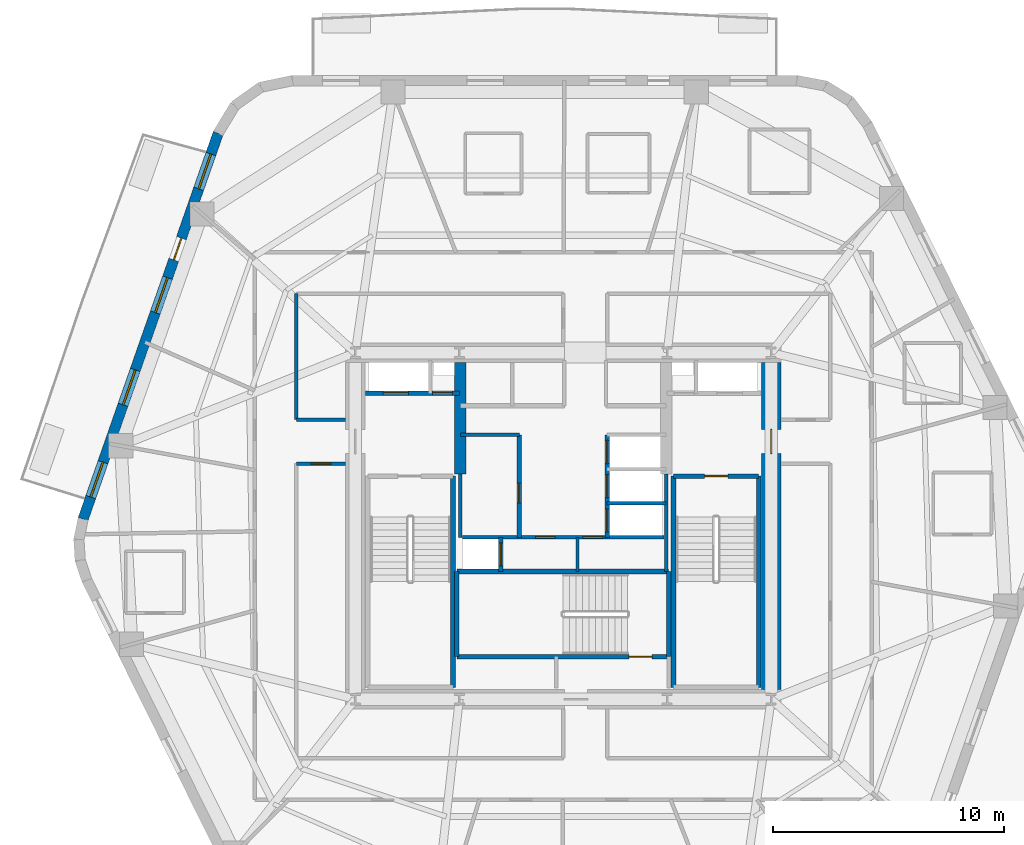
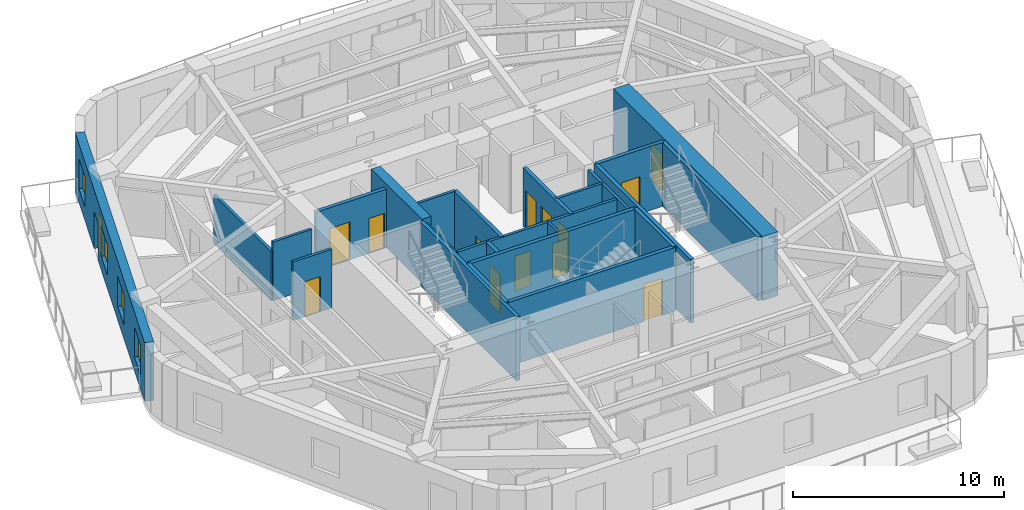
# One storey, part 4 of 11: 24 walls, 14 doors, 4 windows, 18 openings.
"""IFC4 building model written with IfcOpenShell, lengths in metres."""

from ifc_helpers import new_model, si_unit, direction, frame, frame_2d, origin, place, context, subcontext, project, spatial, rectangle, extrude, material, layer, layer_set, type_object, element, fill, save


model = new_model("IFC4")

# Units and contexts
model_context = context("Model", 3, precision=1e-05, world=origin(), true_north=direction((0.0, 1.0)))
body_context = subcontext(model_context, "Body", "Model", "MODEL_VIEW")
ifc_project = project(units=[si_unit("LENGTHUNIT", "METRE"), si_unit("AREAUNIT", "SQUARE_METRE"), si_unit("VOLUMEUNIT", "CUBIC_METRE"), si_unit("PLANEANGLEUNIT", "RADIAN"), si_unit("MASSUNIT", "GRAM", prefix="KILO")], contexts=[model_context])

# Site, building, storey
site_placement = place(None, origin())
site = spatial("IfcSite", under=ifc_project, at=site_placement, CompositionType="ELEMENT")
building_placement = place(site_placement, origin())
building = spatial("IfcBuilding", under=site, at=building_placement, Name="Kilnhurst Terrace Hotel", CompositionType="ELEMENT")
storey_placement = place(building_placement, frame((0.0, 0.0, 162.800048828125)))
storey = spatial("IfcBuildingStorey", under=building, at=storey_placement, Name="L40", CompositionType="ELEMENT", Elevation=162.800048828125)

# Wall, openings, door, windows
ifc_material_1 = material(Name="Precast concrete C40/50", Category="concrete")
ifc_layer_1 = layer(ifc_material_1, 0.449951171875, Name="Precast concrete C40/50")
ifc_layer_set_1 = layer_set([ifc_layer_1], Name="Precast concrete C40/50")
wall_type_1 = type_object("IfcWallType", Name="WL-BRK-450", PredefinedType="SOLIDWALL", material=ifc_layer_set_1)
wall_1_placement = place(storey_placement, frame((-14.936767578125, 16.993408203125, 0.0), z_axis=(0.0, 0.0, 1.0), x_axis=(-0.330431575061, -0.943829949834, 0.0)))
wall_1 = element("IfcWall", 1, at=wall_1_placement, inside=storey, type_object=wall_type_1, Name="L40 Exterior Brick Facade Wall F5", PredefinedType="SOLIDWALL", context=body_context, shape_type="SweptSolid", body=[
    extrude(rectangle(XDim=17.68896484375, YDim=0.449951171875, at=frame_2d((8.844482421875, 0.0))), origin(), (0.0, 0.0, 1.0), 3.39990234375),
])
opening_1_placement = place(wall_1_placement, frame((4.806884765625, 0.0, 0.0)))
opening_1 = element("IfcOpeningElement", 2, at=opening_1_placement, cuts=wall_1, Name="Opening BD-1000", PredefinedType="OPENING", context=body_context, shape_type="SweptSolid", body=[
    extrude(rectangle(XDim=1.0, YDim=2.14990234375, at=frame_2d((0.5, 1.074951171875))), frame((0.0, 0.23486328125, 0.0), z_axis=(0.0, -1.0, 0.0), x_axis=(1.0, 0.0, 0.0)), (0.0, 0.0, 1.0), 0.469970703125),
])
opening_2_placement = place(wall_1_placement, frame((0.949951171875, 0.0, 0.800048828125)))
opening_2 = element("IfcOpeningElement", 3, at=opening_2_placement, cuts=wall_1, Name="Opening W-05", PredefinedType="OPENING", context=body_context, shape_type="SweptSolid", body=[
    extrude(rectangle(XDim=1.60009765625, YDim=1.75, at=frame_2d((0.800048828125, 0.875))), frame((0.0, 0.23486328125, 0.0), z_axis=(0.0, -1.0, 0.0), x_axis=(1.0, 0.0, 0.0)), (0.0, 0.0, 1.0), 0.469970703125),
])
opening_3_placement = place(wall_1_placement, frame((6.623046875, 0.0, 0.800048828125)))
opening_3 = element("IfcOpeningElement", 4, at=opening_3_placement, cuts=wall_1, Name="Opening W-05", PredefinedType="OPENING", context=body_context, shape_type="SweptSolid", body=[
    extrude(rectangle(XDim=1.60009765625, YDim=1.75, at=frame_2d((0.800048828125, 0.875))), frame((0.0, 0.23486328125, 0.0), z_axis=(0.0, -1.0, 0.0), x_axis=(1.0, 0.0, 0.0)), (0.0, 0.0, 1.0), 0.469970703125),
])
opening_4_placement = place(wall_1_placement, frame((10.84912109375, 0.0, 0.800048828125)))
opening_4 = element("IfcOpeningElement", 5, at=opening_4_placement, cuts=wall_1, Name="Opening W-05", PredefinedType="OPENING", context=body_context, shape_type="SweptSolid", body=[
    extrude(rectangle(XDim=1.60009765625, YDim=1.75, at=frame_2d((0.800048828125, 0.875))), frame((0.0, 0.23486328125, 0.0), z_axis=(0.0, -1.0, 0.0), x_axis=(1.0, 0.0, 0.0)), (0.0, 0.0, 1.0), 0.469970703125),
])
opening_5_placement = place(wall_1_placement, frame((15.083984375, 0.0, 0.800048828125)))
opening_5 = element("IfcOpeningElement", 6, at=opening_5_placement, cuts=wall_1, Name="Opening W-05", PredefinedType="OPENING", context=body_context, shape_type="SweptSolid", body=[
    extrude(rectangle(XDim=1.60009765625, YDim=1.75, at=frame_2d((0.800048828125, 0.875))), frame((0.0, 0.23486328125, 0.0), z_axis=(0.0, -1.0, 0.0), x_axis=(1.0, 0.0, 0.0)), (0.0, 0.0, 1.0), 0.469970703125),
])
ifc_material_2 = material(Name="Thermally Broken Bronze Aluminium Alloy 6063-T6 and Laminated Glass", Category="aluminium")
door_type_1 = type_object("IfcDoorType", Name="DR-EXT-BAL-1000", OperationType="NOTDEFINED", PredefinedType="DOOR", material=ifc_material_2)
door_1_placement = place(opening_1_placement, origin())
door_1 = element("IfcDoor", 7, at=door_1_placement, inside=storey, type_object=door_type_1, Name="L40 Planted Balcony Door BAL-L2B", OperationType="SINGLE_SWING_LEFT", OverallHeight=2.14990234375, OverallWidth=1.0, PredefinedType="DOOR", context=body_context, shape_type="SweptSolid", body=[
    extrude(rectangle(XDim=1.0, YDim=2.14990234375, at=frame_2d((0.5, 1.074951171875))), frame((0.0, 0.02490234375, 0.0), z_axis=(0.0, -1.0, 0.0), x_axis=(1.0, 0.0, 0.0)), (0.0, 0.0, 1.0), 0.050048828125),
])
fill(opening_1, door_1)
ifc_material_3 = material(Name="Thermally Broken Bronze Aluminium Alloy 6063-T6 and Low-E Glass", Category="aluminium")
window_type = type_object("IfcWindowType", Name="WIN-1600X1750", PartitioningType="SINGLE_PANEL", PredefinedType="WINDOW", material=ifc_material_3)
window_1_placement = place(opening_2_placement, origin())
window_1 = element("IfcWindow", 8, at=window_1_placement, inside=storey, type_object=window_type, Name="L40 Deep-Set Masonry Window F5.1", OverallHeight=1.75, OverallWidth=1.60009765625, PartitioningType="SINGLE_PANEL", PredefinedType="WINDOW", context=body_context, shape_type="SweptSolid", body=[
    extrude(rectangle(XDim=1.60009765625, YDim=1.75, at=frame_2d((0.800048828125, 0.875))), frame((0.0, 0.030029296875, 0.0), z_axis=(0.0, -1.0, 0.0), x_axis=(1.0, 0.0, 0.0)), (0.0, 0.0, 1.0), 0.06005859375),
])
fill(opening_2, window_1)
window_2_placement = place(opening_3_placement, origin())
window_2 = element("IfcWindow", 9, at=window_2_placement, inside=storey, type_object=window_type, Name="L40 Deep-Set Masonry Window F5.2", OverallHeight=1.75, OverallWidth=1.60009765625, PartitioningType="SINGLE_PANEL", PredefinedType="WINDOW", context=body_context, shape_type="SweptSolid", body=[
    extrude(rectangle(XDim=1.60009765625, YDim=1.75, at=frame_2d((0.800048828125, 0.875))), frame((0.0, 0.030029296875, 0.0), z_axis=(0.0, -1.0, 0.0), x_axis=(1.0, 0.0, 0.0)), (0.0, 0.0, 1.0), 0.06005859375),
])
fill(opening_3, window_2)
window_3_placement = place(opening_4_placement, origin())
window_3 = element("IfcWindow", 10, at=window_3_placement, inside=storey, type_object=window_type, Name="L40 Deep-Set Masonry Window F5.3", OverallHeight=1.75, OverallWidth=1.60009765625, PartitioningType="SINGLE_PANEL", PredefinedType="WINDOW", context=body_context, shape_type="SweptSolid", body=[
    extrude(rectangle(XDim=1.60009765625, YDim=1.75, at=frame_2d((0.800048828125, 0.875))), frame((0.0, 0.030029296875, 0.0), z_axis=(0.0, -1.0, 0.0), x_axis=(1.0, 0.0, 0.0)), (0.0, 0.0, 1.0), 0.06005859375),
])
fill(opening_4, window_3)
window_4_placement = place(opening_5_placement, origin())
window_4 = element("IfcWindow", 11, at=window_4_placement, inside=storey, type_object=window_type, Name="L40 Deep-Set Masonry Window F5.4", OverallHeight=1.75, OverallWidth=1.60009765625, PartitioningType="SINGLE_PANEL", PredefinedType="WINDOW", context=body_context, shape_type="SweptSolid", body=[
    extrude(rectangle(XDim=1.60009765625, YDim=1.75, at=frame_2d((0.800048828125, 0.875))), frame((0.0, 0.030029296875, 0.0), z_axis=(0.0, -1.0, 0.0), x_axis=(1.0, 0.0, 0.0)), (0.0, 0.0, 1.0), 0.06005859375),
])
fill(opening_5, window_4)

# Walls
ifc_material_4 = material(Name="Acoustic Double-Gypsum Corridor Partition Assembly")
ifc_layer_2 = layer(ifc_material_4, 0.14990234375, Name="Acoustic Double-Gypsum Corridor Partition Assembly")
ifc_layer_set_2 = layer_set([ifc_layer_2], Name="Acoustic Double-Gypsum Corridor Partition Assembly")
wall_type_2 = type_object("IfcWallType", Name="WL-COR-150", PredefinedType="PARTITIONING", material=ifc_layer_set_2)
wall_2_placement = place(storey_placement, frame((-11.550048828125, 10.050048828125, 0.0), z_axis=(0.0, 0.0, 1.0), x_axis=(0.0, -1.0, 0.0)))
element("IfcWall", 12, at=wall_2_placement, inside=storey, type_object=wall_type_2, Name="L40 Interior Wall WL-L40-COR-13", PredefinedType="PARTITIONING", context=body_context, shape_type="SweptSolid", body=[
    extrude(rectangle(XDim=5.449951171875, YDim=0.14990234375, at=frame_2d((2.72509765625, 0.0))), origin(), (0.0, 0.0, 1.0), 2.83984375),
])
wall_3_placement = place(storey_placement, frame((-11.550048828125, 4.60009765625, 0.0), z_axis=(0.0, 0.0, 1.0), x_axis=(1.0, 0.0, 0.0)))
element("IfcWall", 13, at=wall_3_placement, inside=storey, type_object=wall_type_2, Name="L40 Interior Wall WL-L40-COR-14", PredefinedType="PARTITIONING", context=body_context, shape_type="SweptSolid", body=[
    extrude(rectangle(XDim=2.125, YDim=0.14990234375, at=frame_2d((1.0625, 0.0))), origin(), (0.0, 0.0, 1.0), 3.39990234375),
])

# Wall, opening, door
wall_4_placement = place(storey_placement, frame((-9.425048828125, 2.699951171875, 0.0), z_axis=(0.0, 0.0, 1.0), x_axis=(-1.0, 0.0, 0.0)))
wall_4 = element("IfcWall", 14, at=wall_4_placement, inside=storey, type_object=wall_type_2, Name="L40 Interior Wall WL-L40-COR-15", PredefinedType="PARTITIONING", context=body_context, shape_type="SweptSolid", body=[
    extrude(rectangle(XDim=2.125, YDim=0.14990234375, at=frame_2d((1.0625, 0.0))), origin(), (0.0, 0.0, 1.0), 3.39990234375),
])
opening_6_placement = place(wall_4_placement, frame((0.636962890625, 0.0, 0.0)))
opening_6 = element("IfcOpeningElement", 15, at=opening_6_placement, cuts=wall_4, Name="Opening D-60D", PredefinedType="OPENING", context=body_context, shape_type="SweptSolid", body=[
    extrude(rectangle(XDim=0.85009765625, YDim=2.030029296875, at=frame_2d((0.425048828125, 1.01513671875))), frame((0.0, 0.0849609375, 0.0), z_axis=(0.0, -1.0, 0.0), x_axis=(1.0, 0.0, 0.0)), (0.0, 0.0, 1.0), 0.169921875),
])
ifc_material_5 = material(Name="Painted Hollow Metal Steel ASTM A36 Riser Door", Category="steel")
door_type_2 = type_object("IfcDoorType", Name="DR-FD60-850", OperationType="NOTDEFINED", PredefinedType="DOOR", material=ifc_material_5)
door_2_placement = place(opening_6_placement, origin())
door_2 = element("IfcDoor", 16, at=door_2_placement, inside=storey, type_object=door_type_2, Name="L40 Floor Linen Storage Room Door", OperationType="SINGLE_SWING_LEFT", OverallHeight=2.030029296875, OverallWidth=0.85009765625, PredefinedType="DOOR", context=body_context, shape_type="SweptSolid", body=[
    extrude(rectangle(XDim=0.85009765625, YDim=2.030029296875, at=frame_2d((0.425048828125, 1.01513671875))), frame((0.0, 0.02490234375, 0.0), z_axis=(0.0, -1.0, 0.0), x_axis=(1.0, 0.0, 0.0)), (0.0, 0.0, 1.0), 0.050048828125),
])
fill(opening_6, door_2)

ifc_material_6 = material(Name="Concrete C80/95", Category="concrete")
ifc_layer_3 = layer(ifc_material_6, 0.85009765625, Name="Concrete C80/95")
ifc_layer_set_3 = layer_set([ifc_layer_3], Name="Concrete C80/95")
wall_type_3 = type_object("IfcWallType", Name="WL-CORE-850", PredefinedType="SHEAR", material=ifc_layer_set_3)
wall_5_placement = place(storey_placement, frame((9.0, -7.074951171875, 0.0), z_axis=(0.0, 0.0, 1.0), x_axis=(0.0, 1.0, 0.0)))
wall_5 = element("IfcWall", 17, at=wall_5_placement, inside=storey, type_object=wall_type_3, Name="L40 Core East Shear Wall", PredefinedType="SHEAR", context=body_context, shape_type="SweptSolid", body=[
    extrude(rectangle(XDim=14.14990234375, YDim=0.85009765625, at=frame_2d((7.074951171875, 0.0))), origin(), (0.0, 0.0, 1.0), 3.699951171875),
])
opening_7_placement = place(wall_5_placement, frame((10.199951171875, 0.0, 0.0)))
opening_7 = element("IfcOpeningElement", 18, at=opening_7_placement, cuts=wall_5, Name="Opening D-90A", PredefinedType="OPENING", context=body_context, shape_type="SweptSolid", body=[
    extrude(rectangle(XDim=1.050048828125, YDim=2.14990234375, at=frame_2d((0.52490234375, 1.074951171875))), frame((0.0, 0.43505859375, 0.0), z_axis=(0.0, -1.0, 0.0), x_axis=(1.0, 0.0, 0.0)), (0.0, 0.0, 1.0), 0.8701171875),
])
ifc_material_7 = material(Name="Painted Hollow Metal Steel ASTM A36 Fire Door", Category="steel")
door_type_3 = type_object("IfcDoorType", Name="DR-FD90-1050", OperationType="NOTDEFINED", PredefinedType="DOOR", material=ifc_material_7)
door_3_placement = place(opening_7_placement, origin())
door_3 = element("IfcDoor", 19, at=door_3_placement, inside=storey, type_object=door_type_3, Name="L40 East Firefighting Lobby Door", OperationType="SINGLE_SWING_LEFT", OverallHeight=2.14990234375, OverallWidth=1.050048828125, PredefinedType="DOOR", context=body_context, shape_type="SweptSolid", body=[
    extrude(rectangle(XDim=1.050048828125, YDim=2.14990234375, at=frame_2d((0.52490234375, 1.074951171875))), frame((0.0, 0.02490234375, 0.0), z_axis=(0.0, -1.0, 0.0), x_axis=(1.0, 0.0, 0.0)), (0.0, 0.0, 1.0), 0.050048828125),
])
fill(opening_7, door_3)

# Walls
ifc_material_8 = material(Name="Concrete C60/75", Category="concrete")
ifc_layer_4 = layer(ifc_material_8, 0.5, Name="Concrete C60/75")
ifc_layer_set_4 = layer_set([ifc_layer_4], Name="Concrete C60/75")
wall_type_4 = type_object("IfcWallType", Name="WL-CORE-WEB-500", PredefinedType="SHEAR", material=ifc_layer_set_4)
wall_6_placement = place(storey_placement, frame((-4.449951171875, 2.25, 0.0), z_axis=(0.0, 0.0, 1.0), x_axis=(0.0, 1.0, 0.0)))
element("IfcWall", 20, at=wall_6_placement, inside=storey, type_object=wall_type_4, Name="L40 Core Internal West Shear Web", PredefinedType="SHEAR", context=body_context, shape_type="SweptSolid", body=[
    extrude(rectangle(XDim=4.824951171875, YDim=0.5, at=frame_2d((2.41259765625, 0.0))), origin(), (0.0, 0.0, 1.0), 3.699951171875),
])
ifc_material_9 = material(Name="120 mm Moisture-Resistant Tile-Backed Bathroom Partition")
ifc_layer_5 = layer(ifc_material_9, 0.1201171875, Name="120 mm Moisture-Resistant Tile-Backed Bathroom Partition")
ifc_layer_set_5 = layer_set([ifc_layer_5], Name="120 mm Moisture-Resistant Tile-Backed Bathroom Partition")
wall_type_5 = type_object("IfcWallType", Name="WL-PART-120", PredefinedType="PARTITIONING", material=ifc_layer_set_5)
wall_7_placement = place(storey_placement, frame((0.6201171875, -1.971923828125, 0.0), z_axis=(0.0, 0.0, 1.0), x_axis=(0.0, 1.0, 0.0)))
element("IfcWall", 21, at=wall_7_placement, inside=storey, type_object=wall_type_5, Name="L40 Interior Wall WL-L40-BOH-C1", PredefinedType="PARTITIONING", context=body_context, shape_type="SweptSolid", body=[
    extrude(rectangle(XDim=1.471923828125, YDim=0.1201171875, at=frame_2d((0.73583984375, 0.0))), origin(), (0.0, 0.0, 1.0), 3.39990234375),
])
ifc_material_10 = material(Name="Fire-Rated Gypsum Shaftliner Assembly")
ifc_layer_6 = layer(ifc_material_10, 0.14990234375, Name="Fire-Rated Gypsum Shaftliner Assembly")
ifc_layer_set_6 = layer_set([ifc_layer_6], Name="Fire-Rated Gypsum Shaftliner Assembly")
wall_type_6 = type_object("IfcWallType", Name="WL-SHAFT-150", PredefinedType="PARTITIONING", material=ifc_layer_set_6)
wall_8_placement = place(storey_placement, frame((-4.449951171875, -0.5, 0.0), z_axis=(0.0, 0.0, 1.0), x_axis=(0.0, 1.0, 0.0)))
element("IfcWall", 22, at=wall_8_placement, inside=storey, type_object=wall_type_6, Name="L40 Interior Wall WL-L40-XLOB-W", PredefinedType="PARTITIONING", context=body_context, shape_type="SweptSolid", body=[
    extrude(rectangle(XDim=2.75, YDim=0.14990234375, at=frame_2d((1.375, 0.0))), origin(), (0.0, 0.0, 1.0), 3.39990234375),
])
wall_9_placement = place(storey_placement, frame((4.449951171875, -1.971923828125, 0.0), z_axis=(0.0, 0.0, 1.0), x_axis=(0.0, 1.0, 0.0)))
element("IfcWall", 23, at=wall_9_placement, inside=storey, type_object=wall_type_6, Name="L40 Interior Wall WL-L40-XLOB-E", PredefinedType="PARTITIONING", context=body_context, shape_type="SweptSolid", body=[
    extrude(rectangle(XDim=4.221923828125, YDim=0.14990234375, at=frame_2d((2.11083984375, 0.0))), origin(), (0.0, 0.0, 1.0), 3.39990234375),
])
for number, where, z_axis, x_axis, name in (
    (24, (-4.449951171875, 3.93994140625, 0.0), (0.0, 0.0, 1.0), (1.0, 0.0, 0.0), "L40 Interior Wall WL-L40-LR-NORTH"),
    (25, (1.89990234375, 0.97998046875, 0.0), (0.0, 0.0, 1.0), (1.0, 0.0, 0.0), "L40 Interior Wall WL-L40-MR-D1"),
):
    element("IfcWall", number, at=place(storey_placement, frame(where, z_axis=z_axis, x_axis=x_axis)), inside=storey, type_object=wall_type_6, Name=name, PredefinedType="PARTITIONING", context=body_context, shape_type="SweptSolid", body=[
        extrude(rectangle(XDim=2.550048828125, YDim=0.14990234375, at=frame_2d((1.27490234375, 0.0))), origin(), (0.0, 0.0, 1.0), 3.39990234375),
    ])

# Wall, openings, doors
wall_10_placement = place(storey_placement, frame((-4.360107421875, -0.489990234375, 0.0), z_axis=(0.0, 0.0, 1.0), x_axis=(1.0, 0.0, 0.0)))
wall_10 = element("IfcWall", 26, at=wall_10_placement, inside=storey, type_object=wall_type_6, Name="L40 Interior Wall WL-L40-BOH-N", PredefinedType="PARTITIONING", context=body_context, shape_type="SweptSolid", body=[
    extrude(rectangle(XDim=8.72021484375, YDim=0.14990234375, at=frame_2d((4.360107421875, 0.0))), origin(), (0.0, 0.0, 1.0), 3.39990234375),
])
opening_8_placement = place(wall_10_placement, frame((3.159912109375, 0.0, 0.0)))
opening_8 = element("IfcOpeningElement", 27, at=opening_8_placement, cuts=wall_10, Name="Opening D-60D", PredefinedType="OPENING", context=body_context, shape_type="SweptSolid", body=[
    extrude(rectangle(XDim=0.85009765625, YDim=2.030029296875, at=frame_2d((0.425048828125, 1.01513671875))), frame((0.0, 0.0849609375, 0.0), z_axis=(0.0, -1.0, 0.0), x_axis=(1.0, 0.0, 0.0)), (0.0, 0.0, 1.0), 0.169921875),
])
opening_9_placement = place(wall_10_placement, frame((5.2099609375, 0.0, 0.0)))
opening_9 = element("IfcOpeningElement", 28, at=opening_9_placement, cuts=wall_10, Name="Opening D-60D", PredefinedType="OPENING", context=body_context, shape_type="SweptSolid", body=[
    extrude(rectangle(XDim=0.85009765625, YDim=2.030029296875, at=frame_2d((0.425048828125, 1.01513671875))), frame((0.0, 0.0849609375, 0.0), z_axis=(0.0, -1.0, 0.0), x_axis=(1.0, 0.0, 0.0)), (0.0, 0.0, 1.0), 0.169921875),
])
door_4_placement = place(opening_8_placement, origin())
door_4 = element("IfcDoor", 29, at=door_4_placement, inside=storey, type_object=door_type_2, Name="L40 Housekeeping Laundry Door", OperationType="SINGLE_SWING_LEFT", OverallHeight=2.030029296875, OverallWidth=0.85009765625, PredefinedType="DOOR", context=body_context, shape_type="SweptSolid", body=[
    extrude(rectangle(XDim=0.85009765625, YDim=2.030029296875, at=frame_2d((0.425048828125, 1.01513671875))), frame((0.0, 0.02490234375, 0.0), z_axis=(0.0, -1.0, 0.0), x_axis=(1.0, 0.0, 0.0)), (0.0, 0.0, 1.0), 0.050048828125),
])
fill(opening_8, door_4)
door_5_placement = place(opening_9_placement, origin())
door_5 = element("IfcDoor", 30, at=door_5_placement, inside=storey, type_object=door_type_2, Name="L40 Room Service Kitchen Door", OperationType="SINGLE_SWING_RIGHT", OverallHeight=2.030029296875, OverallWidth=0.85009765625, PredefinedType="DOOR", context=body_context, shape_type="SweptSolid", body=[
    extrude(rectangle(XDim=0.85009765625, YDim=2.030029296875, at=frame_2d((0.425048828125, 1.01513671875))), frame((0.0, 0.02490234375, 0.0), z_axis=(0.0, -1.0, 0.0), x_axis=(1.0, 0.0, 0.0)), (0.0, 0.0, 1.0), 0.050048828125),
])
fill(opening_9, door_5)

ifc_material_11 = material(Name="Autoclaved Aerated Concrete C30/37 and Gypsum Shaft Assembly", Category="concrete")
ifc_layer_7 = layer(ifc_material_11, 0.199951171875, Name="Autoclaved Aerated Concrete C30/37 and Gypsum Shaft Assembly")
ifc_layer_set_7 = layer_set([ifc_layer_7], Name="Autoclaved Aerated Concrete C30/37 and Gypsum Shaft Assembly")
wall_type_7 = type_object("IfcWallType", Name="WL-SHAFT-200", PredefinedType="PARTITIONING", material=ifc_layer_set_7)
wall_11_placement = place(storey_placement, frame((-8.550048828125, 5.739990234375, 0.0), z_axis=(0.0, 0.0, 1.0), x_axis=(1.0, 0.0, 0.0)))
wall_11 = element("IfcWall", 31, at=wall_11_placement, inside=storey, type_object=wall_type_7, Name="L40 Interior Wall WL-L40-FSAE1-S", PredefinedType="PARTITIONING", context=body_context, shape_type="SweptSolid", body=[
    extrude(rectangle(XDim=4.050048828125, YDim=0.199951171875, at=frame_2d((2.02490234375, 0.0))), origin(), (0.0, 0.0, 1.0), 3.39990234375),
])
opening_10_placement = place(wall_11_placement, frame((0.75, 0.0, 0.0)))
opening_10 = element("IfcOpeningElement", 32, at=opening_10_placement, cuts=wall_11, Name="Opening LD-F1", PredefinedType="OPENING", context=body_context, shape_type="SweptSolid", body=[
    extrude(rectangle(XDim=1.10009765625, YDim=2.199951171875, at=frame_2d((0.550048828125, 1.10009765625))), frame((0.0, 0.10986328125, 0.0), z_axis=(0.0, -1.0, 0.0), x_axis=(1.0, 0.0, 0.0)), (0.0, 0.0, 1.0), 0.219970703125),
])
opening_11_placement = place(wall_11_placement, frame((2.89990234375, 0.0, 0.0)))
opening_11 = element("IfcOpeningElement", 33, at=opening_11_placement, cuts=wall_11, Name="Opening D-60D", PredefinedType="OPENING", context=body_context, shape_type="SweptSolid", body=[
    extrude(rectangle(XDim=0.85009765625, YDim=2.030029296875, at=frame_2d((0.425048828125, 1.01513671875))), frame((0.0, 0.10986328125, 0.0), z_axis=(0.0, -1.0, 0.0), x_axis=(1.0, 0.0, 0.0)), (0.0, 0.0, 1.0), 0.219970703125),
])
door_6_placement = place(opening_11_placement, origin())
door_6 = element("IfcDoor", 34, at=door_6_placement, inside=storey, type_object=door_type_2, Name="L40 Electrical Riser Door", OperationType="SINGLE_SWING_LEFT", OverallHeight=2.030029296875, OverallWidth=0.85009765625, PredefinedType="DOOR", context=body_context, shape_type="SweptSolid", body=[
    extrude(rectangle(XDim=0.85009765625, YDim=2.030029296875, at=frame_2d((0.425048828125, 1.01513671875))), frame((0.0, 0.02490234375, 0.0), z_axis=(0.0, -1.0, 0.0), x_axis=(1.0, 0.0, 0.0)), (0.0, 0.0, 1.0), 0.050048828125),
])
fill(opening_11, door_6)
ifc_material_12 = material(Name="Bronze-Anodized Stainless Steel AISI 316L Sliding Door", Category="steel")
door_type_4 = type_object("IfcDoorType", Name="DR-LIFT-1100", OperationType="NOTDEFINED", PredefinedType="DOOR", material=ifc_material_12)
door_7_placement = place(opening_10_placement, origin())
door_7 = element("IfcDoor", 35, at=door_7_placement, inside=storey, type_object=door_type_4, Name="L40 FSAE-1 Landing Door", OperationType="SLIDING_TO_LEFT", OverallHeight=2.199951171875, OverallWidth=1.10009765625, PredefinedType="DOOR", context=body_context, shape_type="SweptSolid", body=[
    extrude(rectangle(XDim=1.10009765625, YDim=2.199951171875, at=frame_2d((0.550048828125, 1.10009765625))), frame((0.0, 0.02490234375, 0.0), z_axis=(0.0, -1.0, 0.0), x_axis=(1.0, 0.0, 0.0)), (0.0, 0.0, 1.0), 0.050048828125),
])
fill(opening_10, door_7)

# Wall, opening, door
wall_12_placement = place(storey_placement, frame((-2.699951171875, -1.971923828125, 0.0), z_axis=(0.0, 0.0, 1.0), x_axis=(0.0, 1.0, 0.0)))
wall_12 = element("IfcWall", 36, at=wall_12_placement, inside=storey, type_object=wall_type_7, Name="L40 Interior Wall WL-L40-SRV1-E", PredefinedType="PARTITIONING", context=body_context, shape_type="SweptSolid", body=[
    extrude(rectangle(XDim=1.471923828125, YDim=0.199951171875, at=frame_2d((0.73583984375, 0.0))), origin(), (0.0, 0.0, 1.0), 3.39990234375),
])
opening_12_placement = place(wall_12_placement, frame((0.239990234375, 0.0, 0.0)))
opening_12 = element("IfcOpeningElement", 37, at=opening_12_placement, cuts=wall_12, Name="Opening LD-SV", PredefinedType="OPENING", context=body_context, shape_type="SweptSolid", body=[
    extrude(rectangle(XDim=1.0, YDim=2.199951171875, at=frame_2d((0.5, 1.10009765625))), frame((0.0, 0.10986328125, 0.0), z_axis=(0.0, -1.0, 0.0), x_axis=(1.0, 0.0, 0.0)), (0.0, 0.0, 1.0), 0.219970703125),
])
door_type_5 = type_object("IfcDoorType", Name="DR-LIFT-1000", OperationType="NOTDEFINED", PredefinedType="DOOR", material=ifc_material_12)
door_8_placement = place(opening_12_placement, origin())
door_8 = element("IfcDoor", 38, at=door_8_placement, inside=storey, type_object=door_type_5, Name="L40 Service Lift SRV-1 Landing Door", OperationType="SLIDING_TO_LEFT", OverallHeight=2.199951171875, OverallWidth=1.0, PredefinedType="DOOR", context=body_context, shape_type="SweptSolid", body=[
    extrude(rectangle(XDim=1.0, YDim=2.199951171875, at=frame_2d((0.5, 1.10009765625))), frame((0.0, 0.02490234375, 0.0), z_axis=(0.0, -1.0, 0.0), x_axis=(1.0, 0.0, 0.0)), (0.0, 0.0, 1.0), 0.050048828125),
])
fill(opening_12, door_8)

wall_13_placement = place(storey_placement, frame((-1.89990234375, -0.5, 0.0), z_axis=(0.0, 0.0, 1.0), x_axis=(0.0, 1.0, 0.0)))
wall_13 = element("IfcWall", 39, at=wall_13_placement, inside=storey, type_object=wall_type_7, Name="L40 Interior Wall WL-L40-LR-FRONT", PredefinedType="PARTITIONING", context=body_context, shape_type="SweptSolid", body=[
    extrude(rectangle(XDim=4.43994140625, YDim=0.199951171875, at=frame_2d((2.219970703125, 0.0))), origin(), (0.0, 0.0, 1.0), 3.39990234375),
])
opening_13_placement = place(wall_13_placement, frame((1.5, 0.0, 0.0)))
opening_13 = element("IfcOpeningElement", 40, at=opening_13_placement, cuts=wall_13, Name="Opening D-60D", PredefinedType="OPENING", context=body_context, shape_type="SweptSolid", body=[
    extrude(rectangle(XDim=0.85009765625, YDim=2.030029296875, at=frame_2d((0.425048828125, 1.01513671875))), frame((0.0, 0.10986328125, 0.0), z_axis=(0.0, -1.0, 0.0), x_axis=(1.0, 0.0, 0.0)), (0.0, 0.0, 1.0), 0.219970703125),
])
door_9_placement = place(opening_13_placement, origin())
door_9 = element("IfcDoor", 41, at=door_9_placement, inside=storey, type_object=door_type_2, Name="L40 Reclaimed Linen Room Door", OperationType="SINGLE_SWING_LEFT", OverallHeight=2.030029296875, OverallWidth=0.85009765625, PredefinedType="DOOR", context=body_context, shape_type="SweptSolid", body=[
    extrude(rectangle(XDim=0.85009765625, YDim=2.030029296875, at=frame_2d((0.425048828125, 1.01513671875))), frame((0.0, 0.02490234375, 0.0), z_axis=(0.0, -1.0, 0.0), x_axis=(1.0, 0.0, 0.0)), (0.0, 0.0, 1.0), 0.050048828125),
])
fill(opening_13, door_9)

# Wall, openings, doors
wall_14_placement = place(storey_placement, frame((1.89990234375, -0.5, 0.0), z_axis=(0.0, 0.0, 1.0), x_axis=(0.0, 1.0, 0.0)))
wall_14 = element("IfcWall", 42, at=wall_14_placement, inside=storey, type_object=wall_type_7, Name="L40 Interior Wall WL-L40-MR-FRONT", PredefinedType="PARTITIONING", context=body_context, shape_type="SweptSolid", body=[
    extrude(rectangle(XDim=4.43994140625, YDim=0.199951171875, at=frame_2d((2.219970703125, 0.0))), origin(), (0.0, 0.0, 1.0), 3.39990234375),
])
opening_14_placement = place(wall_14_placement, frame((0.239990234375, 0.0, 0.0)))
opening_14 = element("IfcOpeningElement", 43, at=opening_14_placement, cuts=wall_14, Name="Opening LD-MR", PredefinedType="OPENING", context=body_context, shape_type="SweptSolid", body=[
    extrude(rectangle(XDim=1.0, YDim=2.199951171875, at=frame_2d((0.5, 1.10009765625))), frame((0.0, 0.10986328125, 0.0), z_axis=(0.0, -1.0, 0.0), x_axis=(1.0, 0.0, 0.0)), (0.0, 0.0, 1.0), 0.219970703125),
])
opening_15_placement = place(wall_14_placement, frame((1.719970703125, 0.0, 0.0)))
opening_15 = element("IfcOpeningElement", 44, at=opening_15_placement, cuts=wall_14, Name="Opening LD-MR", PredefinedType="OPENING", context=body_context, shape_type="SweptSolid", body=[
    extrude(rectangle(XDim=1.0, YDim=2.199951171875, at=frame_2d((0.5, 1.10009765625))), frame((0.0, 0.10986328125, 0.0), z_axis=(0.0, -1.0, 0.0), x_axis=(1.0, 0.0, 0.0)), (0.0, 0.0, 1.0), 0.219970703125),
])
opening_16_placement = place(wall_14_placement, frame((3.199951171875, 0.0, 0.0)))
opening_16 = element("IfcOpeningElement", 45, at=opening_16_placement, cuts=wall_14, Name="Opening LD-MR", PredefinedType="OPENING", context=body_context, shape_type="SweptSolid", body=[
    extrude(rectangle(XDim=1.0, YDim=2.199951171875, at=frame_2d((0.5, 1.10009765625))), frame((0.0, 0.10986328125, 0.0), z_axis=(0.0, -1.0, 0.0), x_axis=(1.0, 0.0, 0.0)), (0.0, 0.0, 1.0), 0.219970703125),
])
door_10_placement = place(opening_14_placement, origin())
door_10 = element("IfcDoor", 46, at=door_10_placement, inside=storey, type_object=door_type_5, Name="L40 Mid Rise Lift MR-1 Landing Door", OperationType="SLIDING_TO_RIGHT", OverallHeight=2.199951171875, OverallWidth=1.0, PredefinedType="DOOR", context=body_context, shape_type="SweptSolid", body=[
    extrude(rectangle(XDim=1.0, YDim=2.199951171875, at=frame_2d((0.5, 1.10009765625))), frame((0.0, 0.02490234375, 0.0), z_axis=(0.0, -1.0, 0.0), x_axis=(1.0, 0.0, 0.0)), (0.0, 0.0, 1.0), 0.050048828125),
])
fill(opening_14, door_10)
door_11_placement = place(opening_15_placement, origin())
door_11 = element("IfcDoor", 47, at=door_11_placement, inside=storey, type_object=door_type_5, Name="L40 Mid Rise Lift MR-2 Landing Door", OperationType="SLIDING_TO_RIGHT", OverallHeight=2.199951171875, OverallWidth=1.0, PredefinedType="DOOR", context=body_context, shape_type="SweptSolid", body=[
    extrude(rectangle(XDim=1.0, YDim=2.199951171875, at=frame_2d((0.5, 1.10009765625))), frame((0.0, 0.02490234375, 0.0), z_axis=(0.0, -1.0, 0.0), x_axis=(1.0, 0.0, 0.0)), (0.0, 0.0, 1.0), 0.050048828125),
])
fill(opening_15, door_11)
door_12_placement = place(opening_16_placement, origin())
door_12 = element("IfcDoor", 48, at=door_12_placement, inside=storey, type_object=door_type_5, Name="L40 Mid Rise Lift MR-3 Landing Door", OperationType="SLIDING_TO_RIGHT", OverallHeight=2.199951171875, OverallWidth=1.0, PredefinedType="DOOR", context=body_context, shape_type="SweptSolid", body=[
    extrude(rectangle(XDim=1.0, YDim=2.199951171875, at=frame_2d((0.5, 1.10009765625))), frame((0.0, 0.02490234375, 0.0), z_axis=(0.0, -1.0, 0.0), x_axis=(1.0, 0.0, 0.0)), (0.0, 0.0, 1.0), 0.050048828125),
])
fill(opening_16, door_12)

# Walls
ifc_material_13 = material(Name="Concrete C50/60", Category="concrete")
ifc_layer_8 = layer(ifc_material_13, 0.199951171875, Name="Concrete C50/60")
ifc_layer_set_8 = layer_set([ifc_layer_8], Name="Concrete C50/60")
wall_type_8 = type_object("IfcWallType", Name="WL-STAIR-RC-200", PredefinedType="SHEAR", material=ifc_layer_set_8)
for number, where, z_axis, x_axis, name in (
    (49, (-4.77197265625, -6.985107421875, 0.0), (0.0, 0.0, 1.0), (0.0, 1.0, 0.0), "L40 Structural Stair Shaft Wall WL-L40-ST1-E"),
    (50, (4.77197265625, -6.985107421875, 0.0), (0.0, 0.0, 1.0), (0.0, 1.0, 0.0), "L40 Structural Stair Shaft Wall WL-L40-ST2-W"),
    (51, (8.4580078125, -6.985107421875, 0.0), (0.0, 0.0, 1.0), (0.0, 1.0, 0.0), "L40 Structural Stair Shaft Wall WL-L40-ST2-E"),
):
    element("IfcWall", number, at=place(storey_placement, frame(where, z_axis=z_axis, x_axis=x_axis)), inside=storey, type_object=wall_type_8, Name=name, PredefinedType="SHEAR", context=body_context, shape_type="SweptSolid", body=[
        extrude(rectangle(XDim=9.14306640625, YDim=0.199951171875, at=frame_2d((4.571533203125, 0.0))), origin(), (0.0, 0.0, 1.0), 3.699951171875),
    ])

# Wall, opening, door
wall_15_placement = place(storey_placement, frame((4.77197265625, 2.157958984375, 0.0), z_axis=(0.0, 0.0, 1.0), x_axis=(1.0, 0.0, 0.0)))
wall_15 = element("IfcWall", 52, at=wall_15_placement, inside=storey, type_object=wall_type_8, Name="L40 Structural Stair Shaft Wall WL-L40-ST2-N", PredefinedType="SHEAR", context=body_context, shape_type="SweptSolid", body=[
    extrude(rectangle(XDim=3.68603515625, YDim=0.199951171875, at=frame_2d((1.843017578125, 0.0))), origin(), (0.0, 0.0, 1.0), 3.699951171875),
])
opening_17_placement = place(wall_15_placement, frame((1.35009765625, 0.0, 0.0)))
opening_17 = element("IfcOpeningElement", 53, at=opening_17_placement, cuts=wall_15, Name="Opening D-90B", PredefinedType="OPENING", context=body_context, shape_type="SweptSolid", body=[
    extrude(rectangle(XDim=1.0, YDim=2.14990234375, at=frame_2d((0.5, 1.074951171875))), frame((0.0, 0.10986328125, 0.0), z_axis=(0.0, -1.0, 0.0), x_axis=(1.0, 0.0, 0.0)), (0.0, 0.0, 1.0), 0.219970703125),
])
door_type_6 = type_object("IfcDoorType", Name="DR-FD90-1000", OperationType="NOTDEFINED", PredefinedType="DOOR", material=ifc_material_7)
door_13_placement = place(opening_17_placement, origin())
door_13 = element("IfcDoor", 54, at=door_13_placement, inside=storey, type_object=door_type_6, Name="L40 Stair ST-2 Door", OperationType="SINGLE_SWING_RIGHT", OverallHeight=2.14990234375, OverallWidth=1.0, PredefinedType="DOOR", context=body_context, shape_type="SweptSolid", body=[
    extrude(rectangle(XDim=1.0, YDim=2.14990234375, at=frame_2d((0.5, 1.074951171875))), frame((0.0, 0.02490234375, 0.0), z_axis=(0.0, -1.0, 0.0), x_axis=(1.0, 0.0, 0.0)), (0.0, 0.0, 1.0), 0.050048828125),
])
fill(opening_17, door_13)

# Wall
wall_16_placement = place(storey_placement, frame((-4.60791015625, -5.657958984375, 0.0), z_axis=(0.0, 0.0, 1.0), x_axis=(0.0, 1.0, 0.0)))
element("IfcWall", 55, at=wall_16_placement, inside=storey, type_object=wall_type_8, Name="L40 Structural Stair Shaft Wall WL-L40-ST3-W", PredefinedType="SHEAR", context=body_context, shape_type="SweptSolid", body=[
    extrude(rectangle(XDim=3.68603515625, YDim=0.199951171875, at=frame_2d((1.843017578125, 0.0))), origin(), (0.0, 0.0, 1.0), 3.699951171875),
])

# Wall, opening, door
wall_17_placement = place(storey_placement, frame((-4.60791015625, -5.657958984375, 0.0), z_axis=(0.0, 0.0, 1.0), x_axis=(1.0, 0.0, 0.0)))
wall_17 = element("IfcWall", 56, at=wall_17_placement, inside=storey, type_object=wall_type_8, Name="L40 Structural Stair Shaft Wall WL-L40-ST3-S", PredefinedType="SHEAR", context=body_context, shape_type="SweptSolid", body=[
    extrude(rectangle(XDim=9.166015625, YDim=0.199951171875, at=frame_2d((4.5830078125, 0.0))), origin(), (0.0, 0.0, 1.0), 3.699951171875),
])
opening_18_placement = place(wall_17_placement, frame((7.449951171875, 0.0, 0.0)))
opening_18 = element("IfcOpeningElement", 57, at=opening_18_placement, cuts=wall_17, Name="Opening D-90B", PredefinedType="OPENING", context=body_context, shape_type="SweptSolid", body=[
    extrude(rectangle(XDim=1.0, YDim=2.14990234375, at=frame_2d((0.5, 1.074951171875))), frame((0.0, 0.10986328125, 0.0), z_axis=(0.0, -1.0, 0.0), x_axis=(1.0, 0.0, 0.0)), (0.0, 0.0, 1.0), 0.219970703125),
])
door_14_placement = place(opening_18_placement, origin())
door_14 = element("IfcDoor", 58, at=door_14_placement, inside=storey, type_object=door_type_6, Name="L40 Stair ST-3 Shaft Door", OperationType="SINGLE_SWING_LEFT", OverallHeight=2.14990234375, OverallWidth=1.0, PredefinedType="DOOR", context=body_context, shape_type="SweptSolid", body=[
    extrude(rectangle(XDim=1.0, YDim=2.14990234375, at=frame_2d((0.5, 1.074951171875))), frame((0.0, 0.02490234375, 0.0), z_axis=(0.0, -1.0, 0.0), x_axis=(1.0, 0.0, 0.0)), (0.0, 0.0, 1.0), 0.050048828125),
])
fill(opening_18, door_14)

# Walls
wall_18_placement = place(storey_placement, frame((-4.60791015625, -1.971923828125, 0.0), z_axis=(0.0, 0.0, 1.0), x_axis=(1.0, 0.0, 0.0)))
element("IfcWall", 59, at=wall_18_placement, inside=storey, type_object=wall_type_8, Name="L40 Structural Stair Shaft Wall WL-L40-ST3-N", PredefinedType="SHEAR", context=body_context, shape_type="SweptSolid", body=[
    extrude(rectangle(XDim=9.166015625, YDim=0.199951171875, at=frame_2d((4.5830078125, 0.0))), origin(), (0.0, 0.0, 1.0), 3.699951171875),
])
wall_19_placement = place(storey_placement, frame((4.55810546875, -5.657958984375, 0.0), z_axis=(0.0, 0.0, 1.0), x_axis=(0.0, 1.0, 0.0)))
element("IfcWall", 60, at=wall_19_placement, inside=storey, type_object=wall_type_8, Name="L40 Structural Stair Shaft Wall WL-L40-ST3-E", PredefinedType="SHEAR", context=body_context, shape_type="SweptSolid", body=[
    extrude(rectangle(XDim=3.68603515625, YDim=0.199951171875, at=frame_2d((1.843017578125, 0.0))), origin(), (0.0, 0.0, 1.0), 3.699951171875),
])

save(model, "model.ifc")
